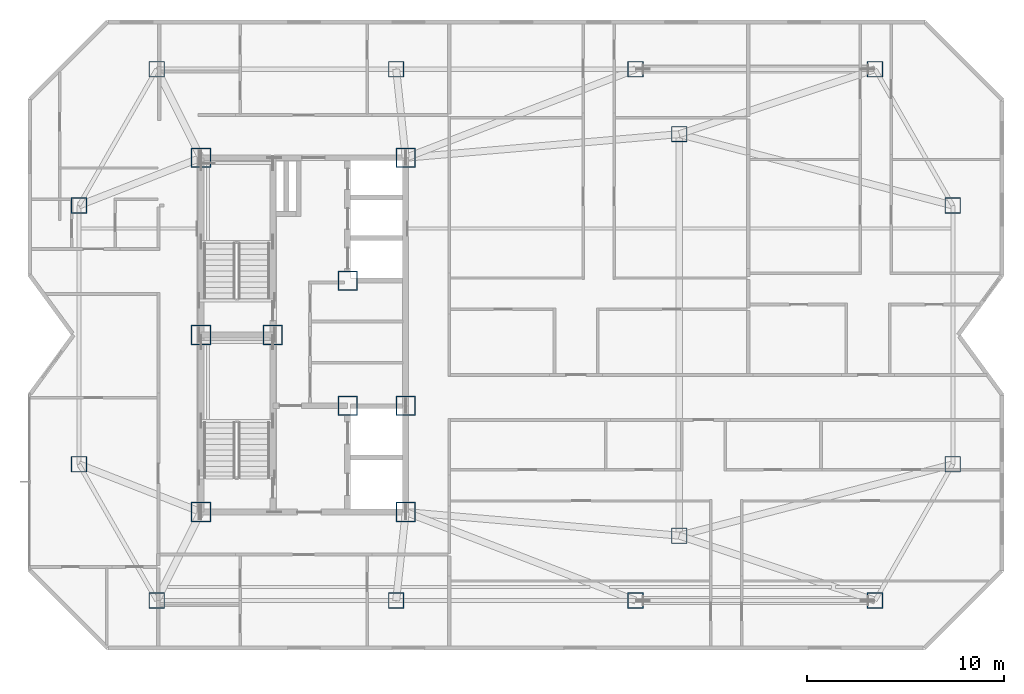
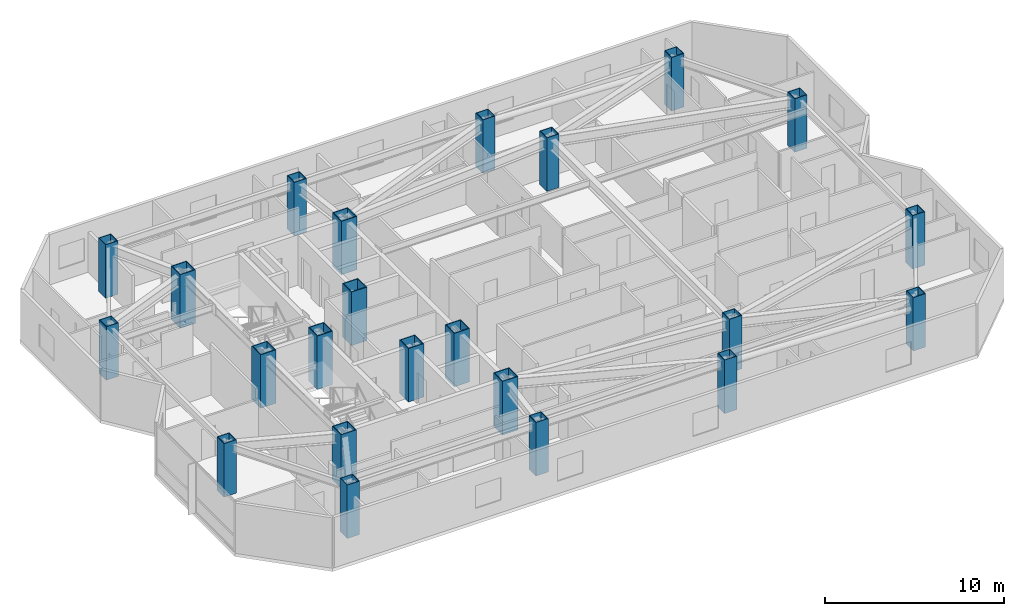
# One storey, part 1 of 14: 23 columns.
"""IFC4 building model written with IfcOpenShell, lengths in metres."""

import ifcopenshell
import ifcopenshell.guid

model = None  # the IFC model being written
_history = None  # IfcOwnerHistory: only IFC2X3 demands one
_inside = {}  # id of a spatial element -> (the spatial element, [elements in it])
_under = {}  # id of a project, library or spatial element -> (it, [spatial elements below it])
_declared = {}  # id of a project -> (the project, [libraries it declares])
_typed = {}  # id of a type object -> (the type object, [elements of that type])
_made_of = {}  # id of a material, layer set ... -> (it, [elements and type objects made of it])


def new_model(schema):
    """Start an empty IFC model of exactly this schema.

    Asked for "IFC4X3", IfcOpenShell would pick the latest addendum, in which some entities
    have other attributes; the version numbers below select the first issue.
    IFC2X3 requires an IfcOwnerHistory on every rooted entity: one is made here for all.
    """
    global model, _history
    if schema == "IFC4X3":
        model = ifcopenshell.file(schema_version=(4, 3, 0, 0))
    else:
        model = ifcopenshell.file(schema=schema)
    _inside.clear()
    _under.clear()
    _declared.clear()
    _typed.clear()
    _made_of.clear()
    _history = None
    if model.schema == "IFC2X3":
        org = make("IfcOrganization", Name="unknown")
        user = make(
            "IfcPersonAndOrganization",
            ThePerson=make("IfcPerson", FamilyName="unknown"),
            TheOrganization=org,
        )
        app = make(
            "IfcApplication",
            ApplicationDeveloper=org,
            Version="unknown",
            ApplicationFullName="unknown",
            ApplicationIdentifier="unknown",
        )
        _history = make(
            "IfcOwnerHistory",
            OwningUser=user,
            OwningApplication=app,
            ChangeAction="ADDED",
            CreationDate=0,
        )
    return model


def make(cls, **values):
    """One entity of the class cls with the attributes given. An attribute that is None is left unset."""
    return model.create_entity(
        cls, **{name: value for name, value in values.items() if value is not None}
    )


def rooted(cls, **values):
    """An entity with a GlobalId (a new one), such as an element, a storey or a relation."""
    return make(cls, GlobalId=ifcopenshell.guid.new(), OwnerHistory=_history, **values)


def si_unit(unit_type, name, prefix=None):
    """IfcSIUnit, for example si_unit("LENGTHUNIT", "METRE", prefix="MILLI")."""
    return make("IfcSIUnit", UnitType=unit_type, Prefix=prefix, Name=name)


def assignment(units):
    """IfcUnitAssignment: the units of a project."""
    return None if units is None else make("IfcUnitAssignment", Units=units)


def point(xyz):
    """IfcCartesianPoint."""
    return None if xyz is None else make("IfcCartesianPoint", Coordinates=xyz)


def direction(xyz):
    """IfcDirection."""
    return None if xyz is None else make("IfcDirection", DirectionRatios=xyz)


def frame(location, z_axis=None, x_axis=None):
    """IfcAxis2Placement3D, a coordinate frame: its origin and axes. An axis left out is left unset."""
    return make(
        "IfcAxis2Placement3D",
        Location=point(location),
        Axis=direction(z_axis),
        RefDirection=direction(x_axis),
    )


def frame_2d(location, x_axis=None):
    """IfcAxis2Placement2D, a coordinate frame in the plane: its origin and x axis."""
    return make(
        "IfcAxis2Placement2D", Location=point(location), RefDirection=direction(x_axis)
    )


def origin():
    """The frame at (0, 0, 0) with its axes left unset."""
    return frame((0.0, 0.0, 0.0))


def origin_2d():
    """The frame at (0, 0) in the plane with its x axis left unset."""
    return frame_2d((0.0, 0.0))


def place(relative_to, where):
    """IfcLocalPlacement: puts the frame where relative to a parent placement (None: the world)."""
    return make(
        "IfcLocalPlacement", PlacementRelTo=relative_to, RelativePlacement=where
    )


def context(
    kind, dimensions, precision=None, world=None, true_north=None, identifier=None
):
    """IfcGeometricRepresentationContext, for example the 3D "Model" context."""
    return make(
        "IfcGeometricRepresentationContext",
        ContextIdentifier=identifier,
        ContextType=kind,
        CoordinateSpaceDimension=dimensions,
        Precision=precision,
        WorldCoordinateSystem=world,
        TrueNorth=true_north,
    )


def subcontext(parent, identifier, kind, view, scale=None):
    """IfcGeometricRepresentationSubContext, for example "Body" below "Model"."""
    return make(
        "IfcGeometricRepresentationSubContext",
        ContextIdentifier=identifier,
        ContextType=kind,
        ParentContext=parent,
        TargetScale=scale,
        TargetView=view,
    )


def project(units=None, contexts=None):
    """IfcProject with its units and contexts."""
    return rooted(
        "IfcProject",
        Name="project",
        RepresentationContexts=contexts,
        UnitsInContext=assignment(units),
    )


def spatial(cls, under=None, at=None, **own):
    """A site, building, storey or space (cls), placed at a placement, below another one or the project."""
    s = rooted(cls, ObjectPlacement=at, **own)
    if under is not None:
        _under.setdefault(under.id(), (under, []))[1].append(s)
    return s


def profile(cls, at=None, kind="AREA", **sizes):
    """A parametric profile (cls). Its sizes go by their IFC names, for example OverallWidth=200.0."""
    return make(cls, ProfileType=kind, Position=at, **sizes)


def hollow_rectangle(**sizes):
    """IfcRectangleHollowProfileDef."""
    return profile("IfcRectangleHollowProfileDef", **sizes)


def extrude(swept, where, along, depth):
    """IfcExtrudedAreaSolid: the profile swept, set in the frame where, extruded along a direction by depth."""
    return make(
        "IfcExtrudedAreaSolid",
        SweptArea=swept,
        Position=where,
        ExtrudedDirection=direction(along),
        Depth=depth,
    )


def shape(context_of_items, identifier, shape_type, items):
    """IfcShapeRepresentation: the items that make up one representation, for example the "Body"."""
    return make(
        "IfcShapeRepresentation",
        ContextOfItems=context_of_items,
        RepresentationIdentifier=identifier,
        RepresentationType=shape_type,
        Items=items,
    )


def material(Name=None, Category=None):
    """IfcMaterial."""
    return make("IfcMaterial", Name=Name, Category=Category)


def material_profile(
    of_material, cross_section, Name=None, Category=None, Priority=None
):
    """IfcMaterialProfile: a cross section and its material."""
    return make(
        "IfcMaterialProfile",
        Name=Name,
        Material=of_material,
        Profile=cross_section,
        Priority=Priority,
        Category=Category,
    )


def profile_set(profiles, Name=None, composite=None):
    """IfcMaterialProfileSet."""
    return make(
        "IfcMaterialProfileSet",
        Name=Name,
        MaterialProfiles=profiles,
        CompositeProfile=composite,
    )


def made_of(thing, what):
    """Note that an element or type object is made of a material, layer set ...; save() writes the relation."""
    if what is not None:
        _made_of.setdefault(what.id(), (what, []))[1].append(thing)
    return thing


def type_object(cls, material=None, **own):
    """A type object (cls), such as IfcWallType, which elements share."""
    return made_of(rooted(cls, **own), material)


def element(
    cls,
    number,
    at=None,
    inside=None,
    cuts=None,
    type_object=None,
    material=None,
    context=None,
    identifier="Body",
    shape_type=None,
    held_by="IfcProductDefinitionShape",
    body=None,
    shapes=None,
    **own,
):
    """One element of the class cls, such as IfcWall. Its Tag is "e" and its number.

    at: its placement. inside: the storey or other place that contains it. cuts: it is an
    opening in that element (IfcRelVoidsElement). A single representation is given by context,
    identifier, shape_type and body (its items); several are given by shapes. held_by: the class
    of the entity that holds the representations. save() writes the other relations.
    """
    e = rooted(cls, Tag="e%d" % number, ObjectPlacement=at, **own)
    if body is not None:
        shapes = [shape(context, identifier, shape_type, body)]
    if shapes is not None:
        e.Representation = make(held_by, Representations=shapes)
    if inside is not None:
        _inside.setdefault(inside.id(), (inside, []))[1].append(e)
    if cuts is not None:
        rooted(
            "IfcRelVoidsElement", RelatingBuildingElement=cuts, RelatedOpeningElement=e
        )
    if type_object is not None:
        _typed.setdefault(type_object.id(), (type_object, []))[1].append(e)
    return made_of(e, material)


def aggregate(whole, parts):
    """IfcRelAggregates: a whole, such as a stair, and the parts it consists of."""
    return rooted("IfcRelAggregates", RelatingObject=whole, RelatedObjects=parts)


def save(model, path):
    """Write the relations noted so far, then the file.

    IfcRelAggregates (storeys below a building ...), IfcRelContainedInSpatialStructure (elements
    in a storey), IfcRelDefinesByType, IfcRelAssociatesMaterial and IfcRelDeclares: one each for
    every whole, place, type object, material and project.
    """
    for whole, parts in _under.values():
        aggregate(whole, parts)
    for where, things in _inside.values():
        rooted(
            "IfcRelContainedInSpatialStructure",
            RelatedElements=things,
            RelatingStructure=where,
        )
    for kind, things in _typed.values():
        rooted("IfcRelDefinesByType", RelatedObjects=things, RelatingType=kind)
    for what, things in _made_of.values():
        rooted("IfcRelAssociatesMaterial", RelatedObjects=things, RelatingMaterial=what)
    for by, libraries in _declared.values():
        rooted("IfcRelDeclares", RelatingContext=by, RelatedDefinitions=libraries)
    model.write(path)


model = new_model("IFC4")

# Units and contexts
model_context = context("Model", 3, precision=1e-05, world=origin(), true_north=direction((0.0, 1.0)))
body_context = subcontext(model_context, "Body", "Model", "MODEL_VIEW")
ifc_project = project(units=[si_unit("LENGTHUNIT", "METRE"), si_unit("AREAUNIT", "SQUARE_METRE"), si_unit("VOLUMEUNIT", "CUBIC_METRE"), si_unit("PLANEANGLEUNIT", "RADIAN"), si_unit("MASSUNIT", "GRAM", prefix="KILO")], contexts=[model_context])

# Site, building, storey
site_placement = place(None, origin())
site = spatial("IfcSite", under=ifc_project, at=site_placement, CompositionType="ELEMENT")
building_placement = place(site_placement, origin())
building = spatial("IfcBuilding", under=site, at=building_placement, Name="Khamvora Tower", CompositionType="ELEMENT")
storey_placement = place(building_placement, frame((0.0, 0.0, 231.800048828125)))
storey = spatial("IfcBuildingStorey", under=building, at=storey_placement, Name="L59", CompositionType="ELEMENT", Elevation=231.800048828125)

# Columns
ifc_material_1 = material(Name="Steel S355", Category="steel")
ifc_material_profile_1 = material_profile(ifc_material_1, hollow_rectangle(XDim=0.800048828125, YDim=0.800048828125, WallThickness=0.0400390625, at=origin_2d()), Name="BOX800x800x40")
ifc_profile_set_1 = profile_set([ifc_material_profile_1], Name="Steel S355")
column_type_1 = type_object("IfcColumnType", Name="COL-BOX800", PredefinedType="COLUMN", material=ifc_profile_set_1)
for number, where, z_axis, x_axis, name in (
    (1, (26.75, 14.5, 0.0), (0.0, 0.0, 1.0), (1.0, 0.0, 0.0), "L59 structural frame column S1"),
    (2, (38.9169921875, 14.5, 0.0), (0.0, 0.0, 1.0), (1.0, 0.0, 0.0), "L59 structural frame column S2"),
    (3, (51.0830078125, 14.5, 0.0), (0.0, 0.0, 1.0), (1.0, 0.0, 0.0), "L59 structural frame column S3"),
    (4, (63.25, 14.5, 0.0), (0.0, 0.0, 1.0), (1.0, 0.0, 0.0), "L59 structural frame column S4"),
    (5, (26.75, 41.5, 0.0), (0.0, 0.0, 1.0), (1.0, 0.0, 0.0), "L59 structural frame column N1"),
    (6, (38.9169921875, 41.5, 0.0), (0.0, 0.0, 1.0), (1.0, 0.0, 0.0), "L59 structural frame column N2"),
    (7, (51.0830078125, 41.5, 0.0), (0.0, 0.0, 1.0), (1.0, 0.0, 0.0), "L59 structural frame column N3"),
    (8, (63.25, 41.5, 0.0), (0.0, 0.0, 1.0), (1.0, 0.0, 0.0), "L59 structural frame column N4"),
    (9, (22.800048828125, 21.425048828125, 0.0), (0.0, 0.0, 1.0), (1.0, 0.0, 0.0), "L59 structural frame column W1"),
    (10, (22.800048828125, 34.574951171875, 0.0), (0.0, 0.0, 1.0), (1.0, 0.0, 0.0), "L59 structural frame column W2"),
    (11, (67.199951171875, 21.425048828125, 0.0), (0.0, 0.0, 1.0), (1.0, 0.0, 0.0), "L59 structural frame column E1"),
    (12, (67.199951171875, 34.574951171875, 0.0), (0.0, 0.0, 1.0), (1.0, 0.0, 0.0), "L59 structural frame column E2"),
    (13, (53.300048828125, 17.800048828125, 0.0), (0.0, 0.0, 1.0), (1.0, 0.0, 0.0), "L59 structural frame column M1"),
    (14, (53.300048828125, 38.199951171875, 0.0), (0.0, 0.0, 1.0), (1.0, 0.0, 0.0), "L59 structural frame column M2"),
):
    element("IfcColumn", number, at=place(storey_placement, frame(where, z_axis=z_axis, x_axis=x_axis)), inside=storey, type_object=column_type_1, Name=name, PredefinedType="COLUMN", context=body_context, shape_type="SweptSolid", body=[
        extrude(hollow_rectangle(XDim=0.800048828125, YDim=0.800048828125, WallThickness=0.0400390625, at=origin_2d()), origin(), (0.0, 0.0, 1.0), 3.64990234375),
    ])
ifc_material_2 = material(Name="Structural Steel S460ML", Category="steel")
ifc_material_profile_2 = material_profile(ifc_material_2, hollow_rectangle(XDim=1.0, YDim=1.0, WallThickness=0.050048828125, at=origin_2d()), Name="BOX1000x1000x50")
ifc_profile_set_2 = profile_set([ifc_material_profile_2], Name="Structural Steel S460ML")
column_type_2 = type_object("IfcColumnType", Name="COL-SC-BOX1000", PredefinedType="COLUMN", material=ifc_profile_set_2)
for number, where, z_axis, x_axis, name in (
    (15, (29.0, 19.0, 0.0), (0.0, 0.0, 1.0), (1.0, 0.0, 0.0), "L59 plumb core spine column SC1"),
    (16, (32.64990234375, 28.0, 0.0), (0.0, 0.0, 1.0), (1.0, 0.0, 0.0), "L59 plumb core spine column SC2"),
    (17, (39.39990234375, 19.0, 0.0), (0.0, 0.0, 1.0), (1.0, 0.0, 0.0), "L59 plumb core spine column SC3"),
    (18, (29.0, 28.0, 0.0), (0.0, 0.0, 1.0), (1.0, 0.0, 0.0), "L59 plumb core spine column SC4"),
    (19, (36.449951171875, 24.39990234375, 0.0), (0.0, 0.0, 1.0), (1.0, 0.0, 0.0), "L59 plumb core spine column SC5"),
    (20, (39.39990234375, 24.39990234375, 0.0), (0.0, 0.0, 1.0), (1.0, 0.0, 0.0), "L59 plumb core spine column SC6"),
    (21, (29.0, 37.0, 0.0), (0.0, 0.0, 1.0), (1.0, 0.0, 0.0), "L59 plumb core spine column SC7"),
    (22, (36.449951171875, 30.75, 0.0), (0.0, 0.0, 1.0), (1.0, 0.0, 0.0), "L59 plumb core spine column SC8"),
    (23, (39.39990234375, 37.0, 0.0), (0.0, 0.0, 1.0), (1.0, 0.0, 0.0), "L59 plumb core spine column SC9"),
):
    element("IfcColumn", number, at=place(storey_placement, frame(where, z_axis=z_axis, x_axis=x_axis)), inside=storey, type_object=column_type_2, Name=name, PredefinedType="COLUMN", context=body_context, shape_type="SweptSolid", body=[
        extrude(hollow_rectangle(XDim=1.0, YDim=1.0, WallThickness=0.050048828125, at=origin_2d()), origin(), (0.0, 0.0, 1.0), 3.64990234375),
    ])

save(model, "model.ifc")
